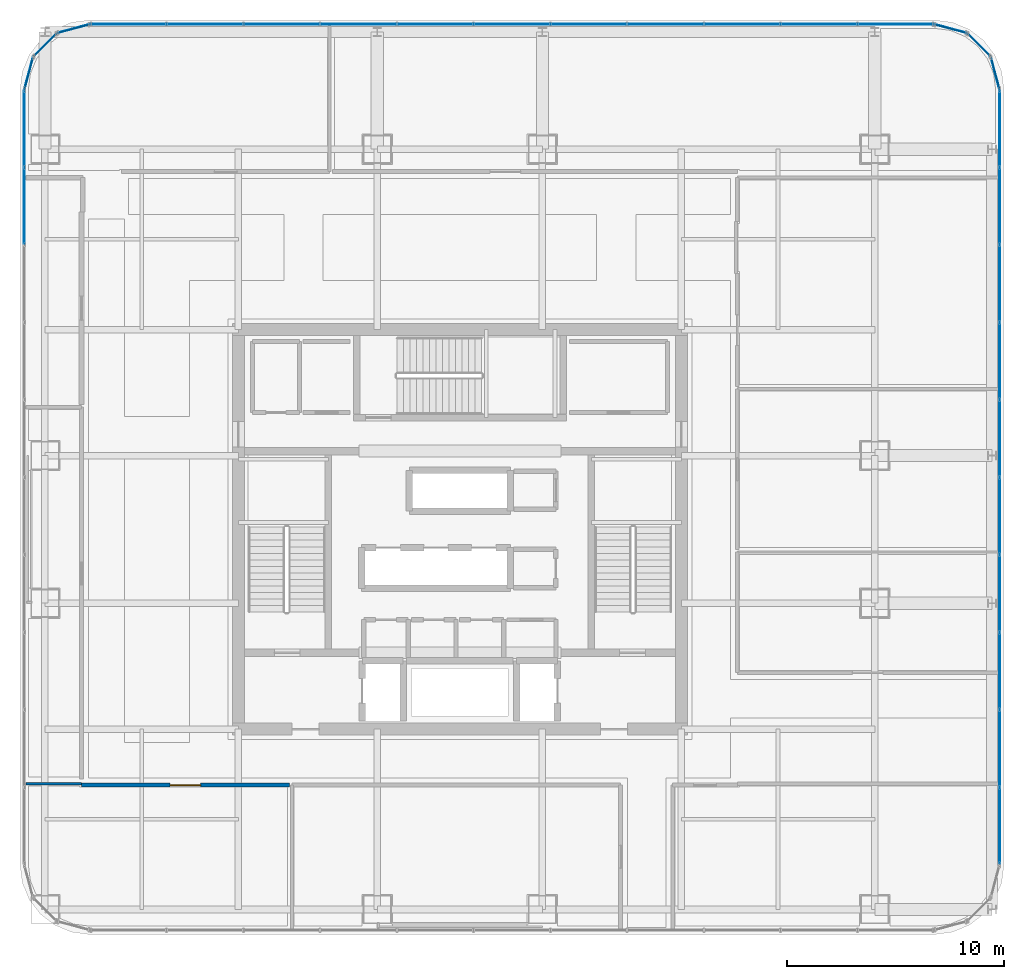
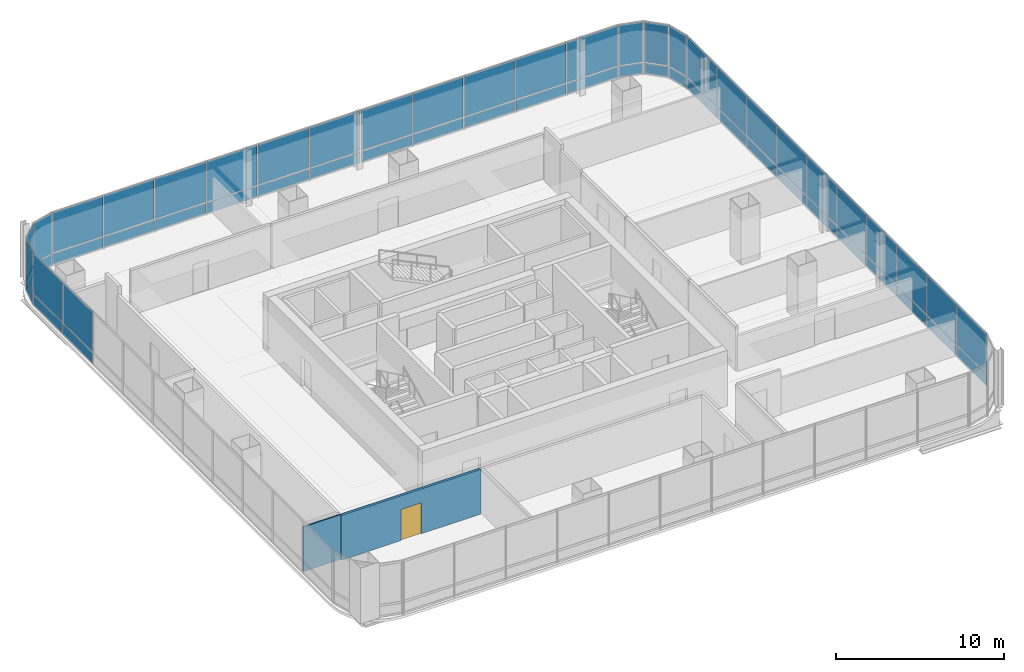
# One storey, part 32 of 42: 58 plates, 2 walls, 1 door, 1 opening, 9 elements without a shape of their own.
"""IFC4 building model written with IfcOpenShell, lengths in metres."""

from ifc_helpers import new_model, si_unit, direction, frame, frame_2d, origin, origin_2d, place, context, subcontext, project, spatial, rectangle, extrude, material, layer, layer_set, type_object, element, fill, aggregate, save


model = new_model("IFC4")

# Units and contexts
model_context = context("Model", 3, precision=1e-05, world=origin(), true_north=direction((0.0, 1.0)))
body_context = subcontext(model_context, "Body", "Model", "MODEL_VIEW")
ifc_project = project(units=[si_unit("LENGTHUNIT", "METRE"), si_unit("AREAUNIT", "SQUARE_METRE"), si_unit("VOLUMEUNIT", "CUBIC_METRE"), si_unit("PLANEANGLEUNIT", "RADIAN"), si_unit("MASSUNIT", "GRAM", prefix="KILO")], contexts=[model_context])

# Site, building, storey
site_placement = place(None, origin())
site = spatial("IfcSite", under=ifc_project, at=site_placement, CompositionType="ELEMENT")
building_placement = place(site_placement, origin())
building = spatial("IfcBuilding", under=site, at=building_placement, Name="Punatoya Terracotta Tower", CompositionType="ELEMENT")
storey_placement = place(building_placement, frame((0.0, 0.0, 263.550048828125)))
storey = spatial("IfcBuildingStorey", under=building, at=storey_placement, Name="L62", CompositionType="ELEMENT", Elevation=263.550048828125)

# Curtain wall, plates
ifc_material_1 = material(Name="Aluminium 6063-T6 + Double Low-E Glass", Category="aluminium")
curtain_wall_type = type_object("IfcCurtainWallType", Name="CW-M3", PredefinedType="NOTDEFINED", material=ifc_material_1)
curtain_wall_1_placement = place(storey_placement, origin())
curtain_wall_1 = element("IfcCurtainWall", 1, at=curtain_wall_1_placement, inside=storey, type_object=curtain_wall_type, Name="L62 Curtain Wall CW-L62-E05-1", PredefinedType="NOTDEFINED")
ifc_material_2 = material(Name="Double Low-E Acoustic Vision Glass", Category="glass")
ifc_layer_1 = layer(ifc_material_2, 0.031982421875)
ifc_layer_set_1 = layer_set([ifc_layer_1], Name="Double Low-E Acoustic Vision Glass")
plate_type_1 = type_object("IfcPlateType", Name="PLT-GLZ-32", PredefinedType="CURTAIN_PANEL", material=ifc_layer_set_1)
plate_1_placement = place(storey_placement, frame((24.85009765625, -13.6533203125, 0.889892578125), z_axis=(0.0, 0.0, 1.0), x_axis=(0.0, 1.0, 0.0)))
plate_1 = element("IfcPlate", 2, at=plate_1_placement, type_object=plate_type_1, Name="CW-L62-E05-1 Vision Glass Panel 1", PredefinedType="CURTAIN_PANEL", context=body_context, shape_type="SweptSolid", body=[
    extrude(rectangle(XDim=3.482421875, YDim=0.031982421875, at=origin_2d()), origin(), (0.0, 0.0, 1.0), 2.919921875),
])
plate_2_placement = place(storey_placement, frame((24.85009765625, -10.085693359375, 0.889892578125), z_axis=(0.0, 0.0, 1.0), x_axis=(0.0, 1.0, 0.0)))
plate_2 = element("IfcPlate", 3, at=plate_2_placement, type_object=plate_type_1, Name="CW-L62-E05-1 Vision Glass Panel 2", PredefinedType="CURTAIN_PANEL", context=body_context, shape_type="SweptSolid", body=[
    extrude(rectangle(XDim=3.482421875, YDim=0.031982421875, at=origin_2d()), origin(), (0.0, 0.0, 1.0), 2.919921875),
])
plate_3_placement = place(storey_placement, frame((24.85009765625, -6.518310546875, 0.889892578125), z_axis=(0.0, 0.0, 1.0), x_axis=(0.0, 1.0, 0.0)))
plate_3 = element("IfcPlate", 4, at=plate_3_placement, type_object=plate_type_1, Name="CW-L62-E05-1 Vision Glass Panel 3", PredefinedType="CURTAIN_PANEL", context=body_context, shape_type="SweptSolid", body=[
    extrude(rectangle(XDim=3.482421875, YDim=0.031982421875, at=origin_2d()), origin(), (0.0, 0.0, 1.0), 2.919921875),
])
plate_4_placement = place(storey_placement, frame((24.85009765625, -2.951171875, 0.889892578125), z_axis=(0.0, 0.0, 1.0), x_axis=(0.0, 1.0, 0.0)))
plate_4 = element("IfcPlate", 5, at=plate_4_placement, type_object=plate_type_1, Name="CW-L62-E05-1 Vision Glass Panel 4", PredefinedType="CURTAIN_PANEL", context=body_context, shape_type="SweptSolid", body=[
    extrude(rectangle(XDim=3.482421875, YDim=0.031982421875, at=origin_2d()), origin(), (0.0, 0.0, 1.0), 2.919921875),
])
plate_5_placement = place(storey_placement, frame((24.85009765625, 0.6162109375, 0.889892578125), z_axis=(0.0, 0.0, 1.0), x_axis=(0.0, 1.0, 0.0)))
plate_5 = element("IfcPlate", 6, at=plate_5_placement, type_object=plate_type_1, Name="CW-L62-E05-1 Vision Glass Panel 5", PredefinedType="CURTAIN_PANEL", context=body_context, shape_type="SweptSolid", body=[
    extrude(rectangle(XDim=3.482421875, YDim=0.031982421875, at=origin_2d()), origin(), (0.0, 0.0, 1.0), 2.919921875),
])
plate_6_placement = place(storey_placement, frame((24.85009765625, 4.18359375, 0.889892578125), z_axis=(0.0, 0.0, 1.0), x_axis=(0.0, 1.0, 0.0)))
plate_6 = element("IfcPlate", 7, at=plate_6_placement, type_object=plate_type_1, Name="CW-L62-E05-1 Vision Glass Panel 6", PredefinedType="CURTAIN_PANEL", context=body_context, shape_type="SweptSolid", body=[
    extrude(rectangle(XDim=3.482421875, YDim=0.031982421875, at=origin_2d()), origin(), (0.0, 0.0, 1.0), 2.919921875),
])
plate_7_placement = place(storey_placement, frame((24.85009765625, 7.751220703125, 0.889892578125), z_axis=(0.0, 0.0, 1.0), x_axis=(0.0, 1.0, 0.0)))
plate_7 = element("IfcPlate", 8, at=plate_7_placement, type_object=plate_type_1, Name="CW-L62-E05-1 Vision Glass Panel 7", PredefinedType="CURTAIN_PANEL", context=body_context, shape_type="SweptSolid", body=[
    extrude(rectangle(XDim=3.482421875, YDim=0.031982421875, at=origin_2d()), origin(), (0.0, 0.0, 1.0), 2.919921875),
])
plate_8_placement = place(storey_placement, frame((24.85009765625, 11.318359375, 0.889892578125), z_axis=(0.0, 0.0, 1.0), x_axis=(0.0, 1.0, 0.0)))
plate_8 = element("IfcPlate", 9, at=plate_8_placement, type_object=plate_type_1, Name="CW-L62-E05-1 Vision Glass Panel 8", PredefinedType="CURTAIN_PANEL", context=body_context, shape_type="SweptSolid", body=[
    extrude(rectangle(XDim=3.482421875, YDim=0.031982421875, at=origin_2d()), origin(), (0.0, 0.0, 1.0), 2.919921875),
])
plate_9_placement = place(storey_placement, frame((24.85009765625, 14.8857421875, 0.889892578125), z_axis=(0.0, 0.0, 1.0), x_axis=(0.0, 1.0, 0.0)))
plate_9 = element("IfcPlate", 10, at=plate_9_placement, type_object=plate_type_1, Name="CW-L62-E05-1 Vision Glass Panel 9", PredefinedType="CURTAIN_PANEL", context=body_context, shape_type="SweptSolid", body=[
    extrude(rectangle(XDim=3.482421875, YDim=0.031982421875, at=origin_2d()), origin(), (0.0, 0.0, 1.0), 2.919921875),
])
plate_10_placement = place(storey_placement, frame((24.85009765625, 18.453125, 0.889892578125), z_axis=(0.0, 0.0, 1.0), x_axis=(0.0, 1.0, 0.0)))
plate_10 = element("IfcPlate", 11, at=plate_10_placement, type_object=plate_type_1, Name="CW-L62-E05-1 Vision Glass Panel 10", PredefinedType="CURTAIN_PANEL", context=body_context, shape_type="SweptSolid", body=[
    extrude(rectangle(XDim=3.482421875, YDim=0.031982421875, at=origin_2d()), origin(), (0.0, 0.0, 1.0), 2.919921875),
])

# Curtain wall, plate
curtain_wall_2_placement = place(storey_placement, origin())
curtain_wall_2 = element("IfcCurtainWall", 12, at=curtain_wall_2_placement, inside=storey, type_object=curtain_wall_type, Name="L62 Curtain Wall CW-L62-CRN06", PredefinedType="NOTDEFINED")
plate_11_placement = place(storey_placement, frame((24.648193359375, 20.992919921875, 0.889892578125), z_axis=(0.0, 0.0, 1.0), x_axis=(-0.257741620719, 0.966213877436, 0.0)))
plate_11 = element("IfcPlate", 13, at=plate_11_placement, type_object=plate_type_1, Name="CW-L62-CRN06 Vision Glass Panel 1", PredefinedType="CURTAIN_PANEL", context=body_context, shape_type="SweptSolid", body=[
    extrude(rectangle(XDim=1.47998046875, YDim=0.031982421875, at=origin_2d()), origin(), (0.0, 0.0, 1.0), 2.919921875),
])

curtain_wall_3_placement = place(storey_placement, origin())
curtain_wall_3 = element("IfcCurtainWall", 14, at=curtain_wall_3_placement, inside=storey, type_object=curtain_wall_type, Name="L62 Curtain Wall CW-L62-CRN07", PredefinedType="NOTDEFINED")
plate_12_placement = place(storey_placement, frame((23.89794921875, 22.2978515625, 0.889892578125), z_axis=(0.0, 0.0, 1.0), x_axis=(-0.707106781187, 0.707106781187, 0.0)))
plate_12 = element("IfcPlate", 15, at=plate_12_placement, type_object=plate_type_1, Name="CW-L62-CRN07 Vision Glass Panel 1", PredefinedType="CURTAIN_PANEL", context=body_context, shape_type="SweptSolid", body=[
    extrude(rectangle(XDim=1.467041015625, YDim=0.031982421875, at=origin_2d()), origin(), (0.0, 0.0, 1.0), 2.919921875),
])

curtain_wall_4_placement = place(storey_placement, origin())
curtain_wall_4 = element("IfcCurtainWall", 16, at=curtain_wall_4_placement, inside=storey, type_object=curtain_wall_type, Name="L62 Curtain Wall CW-L62-CRN08", PredefinedType="NOTDEFINED")
plate_13_placement = place(storey_placement, frame((22.593017578125, 23.04833984375, 0.889892578125), z_axis=(0.0, 0.0, 1.0), x_axis=(-0.966213877436, 0.257741620719, 0.0)))
plate_13 = element("IfcPlate", 17, at=plate_13_placement, type_object=plate_type_1, Name="CW-L62-CRN08 Vision Glass Panel 1", PredefinedType="CURTAIN_PANEL", context=body_context, shape_type="SweptSolid", body=[
    extrude(rectangle(XDim=1.47998046875, YDim=0.031982421875, at=origin_2d()), origin(), (0.0, 0.0, 1.0), 2.919921875),
])

# Curtain wall, plates
curtain_wall_5_placement = place(storey_placement, origin())
curtain_wall_5 = element("IfcCurtainWall", 18, at=curtain_wall_5_placement, inside=storey, type_object=curtain_wall_type, Name="L62 Curtain Wall CW-L62-N09-1", PredefinedType="NOTDEFINED")
plate_14_placement = place(storey_placement, frame((20.06982421875, 23.25, 0.889892578125), z_axis=(0.0, 0.0, 1.0), x_axis=(-1.0, 0.0, 0.0)))
plate_14 = element("IfcPlate", 19, at=plate_14_placement, type_object=plate_type_1, Name="CW-L62-N09-1 Vision Glass Panel 1", PredefinedType="CURTAIN_PANEL", context=body_context, shape_type="SweptSolid", body=[
    extrude(rectangle(XDim=3.448974609375, YDim=0.031982421875, at=origin_2d()), origin(), (0.0, 0.0, 1.0), 2.919921875),
])
plate_15_placement = place(storey_placement, frame((16.535888671875, 23.25, 0.889892578125), z_axis=(0.0, 0.0, 1.0), x_axis=(-1.0, 0.0, 0.0)))
plate_15 = element("IfcPlate", 20, at=plate_15_placement, type_object=plate_type_1, Name="CW-L62-N09-1 Vision Glass Panel 2", PredefinedType="CURTAIN_PANEL", context=body_context, shape_type="SweptSolid", body=[
    extrude(rectangle(XDim=3.448974609375, YDim=0.031982421875, at=origin_2d()), origin(), (0.0, 0.0, 1.0), 2.919921875),
])
plate_16_placement = place(storey_placement, frame((13.001953125, 23.25, 0.889892578125), z_axis=(0.0, 0.0, 1.0), x_axis=(-1.0, 0.0, 0.0)))
plate_16 = element("IfcPlate", 21, at=plate_16_placement, type_object=plate_type_1, Name="CW-L62-N09-1 Vision Glass Panel 3", PredefinedType="CURTAIN_PANEL", context=body_context, shape_type="SweptSolid", body=[
    extrude(rectangle(XDim=3.448974609375, YDim=0.031982421875, at=origin_2d()), origin(), (0.0, 0.0, 1.0), 2.919921875),
])
plate_17_placement = place(storey_placement, frame((9.468017578125, 23.25, 0.889892578125), z_axis=(0.0, 0.0, 1.0), x_axis=(-1.0, 0.0, 0.0)))
plate_17 = element("IfcPlate", 22, at=plate_17_placement, type_object=plate_type_1, Name="CW-L62-N09-1 Vision Glass Panel 4", PredefinedType="CURTAIN_PANEL", context=body_context, shape_type="SweptSolid", body=[
    extrude(rectangle(XDim=3.448974609375, YDim=0.031982421875, at=origin_2d()), origin(), (0.0, 0.0, 1.0), 2.919921875),
])
plate_18_placement = place(storey_placement, frame((5.93408203125, 23.25, 0.889892578125), z_axis=(0.0, 0.0, 1.0), x_axis=(-1.0, 0.0, 0.0)))
plate_18 = element("IfcPlate", 23, at=plate_18_placement, type_object=plate_type_1, Name="CW-L62-N09-1 Vision Glass Panel 5", PredefinedType="CURTAIN_PANEL", context=body_context, shape_type="SweptSolid", body=[
    extrude(rectangle(XDim=3.448974609375, YDim=0.031982421875, at=origin_2d()), origin(), (0.0, 0.0, 1.0), 2.919921875),
])
plate_19_placement = place(storey_placement, frame((2.39990234375, 23.25, 0.889892578125), z_axis=(0.0, 0.0, 1.0), x_axis=(-1.0, 0.0, 0.0)))
plate_19 = element("IfcPlate", 24, at=plate_19_placement, type_object=plate_type_1, Name="CW-L62-N09-1 Vision Glass Panel 6", PredefinedType="CURTAIN_PANEL", context=body_context, shape_type="SweptSolid", body=[
    extrude(rectangle(XDim=3.448974609375, YDim=0.031982421875, at=origin_2d()), origin(), (0.0, 0.0, 1.0), 2.919921875),
])
plate_20_placement = place(storey_placement, frame((-1.134033203125, 23.25, 0.889892578125), z_axis=(0.0, 0.0, 1.0), x_axis=(-1.0, 0.0, 0.0)))
plate_20 = element("IfcPlate", 25, at=plate_20_placement, type_object=plate_type_1, Name="CW-L62-N09-1 Vision Glass Panel 7", PredefinedType="CURTAIN_PANEL", context=body_context, shape_type="SweptSolid", body=[
    extrude(rectangle(XDim=3.448974609375, YDim=0.031982421875, at=origin_2d()), origin(), (0.0, 0.0, 1.0), 2.919921875),
])
plate_21_placement = place(storey_placement, frame((-4.66796875, 23.25, 0.889892578125), z_axis=(0.0, 0.0, 1.0), x_axis=(-1.0, 0.0, 0.0)))
plate_21 = element("IfcPlate", 26, at=plate_21_placement, type_object=plate_type_1, Name="CW-L62-N09-1 Vision Glass Panel 8", PredefinedType="CURTAIN_PANEL", context=body_context, shape_type="SweptSolid", body=[
    extrude(rectangle(XDim=3.448974609375, YDim=0.031982421875, at=origin_2d()), origin(), (0.0, 0.0, 1.0), 2.919921875),
])
plate_22_placement = place(storey_placement, frame((-8.201904296875, 23.25, 0.889892578125), z_axis=(0.0, 0.0, 1.0), x_axis=(-1.0, 0.0, 0.0)))
plate_22 = element("IfcPlate", 27, at=plate_22_placement, type_object=plate_type_1, Name="CW-L62-N09-1 Vision Glass Panel 9", PredefinedType="CURTAIN_PANEL", context=body_context, shape_type="SweptSolid", body=[
    extrude(rectangle(XDim=3.448974609375, YDim=0.031982421875, at=origin_2d()), origin(), (0.0, 0.0, 1.0), 2.919921875),
])
plate_23_placement = place(storey_placement, frame((-11.73583984375, 23.25, 0.889892578125), z_axis=(0.0, 0.0, 1.0), x_axis=(-1.0, 0.0, 0.0)))
plate_23 = element("IfcPlate", 28, at=plate_23_placement, type_object=plate_type_1, Name="CW-L62-N09-1 Vision Glass Panel 10", PredefinedType="CURTAIN_PANEL", context=body_context, shape_type="SweptSolid", body=[
    extrude(rectangle(XDim=3.448974609375, YDim=0.031982421875, at=origin_2d()), origin(), (0.0, 0.0, 1.0), 2.919921875),
])
plate_24_placement = place(storey_placement, frame((-15.27001953125, 23.25, 0.889892578125), z_axis=(0.0, 0.0, 1.0), x_axis=(-1.0, 0.0, 0.0)))
plate_24 = element("IfcPlate", 29, at=plate_24_placement, type_object=plate_type_1, Name="CW-L62-N09-1 Vision Glass Panel 11", PredefinedType="CURTAIN_PANEL", context=body_context, shape_type="SweptSolid", body=[
    extrude(rectangle(XDim=3.448974609375, YDim=0.031982421875, at=origin_2d()), origin(), (0.0, 0.0, 1.0), 2.919921875),
])

# Curtain wall, plate
curtain_wall_6_placement = place(storey_placement, origin())
curtain_wall_6 = element("IfcCurtainWall", 30, at=curtain_wall_6_placement, inside=storey, type_object=curtain_wall_type, Name="L62 Curtain Wall CW-L62-CRN10", PredefinedType="NOTDEFINED")
plate_25_placement = place(storey_placement, frame((-17.79296875, 23.04833984375, 0.889892578125), z_axis=(0.0, 0.0, 1.0), x_axis=(-0.966213877436, -0.257741620719, 0.0)))
plate_25 = element("IfcPlate", 31, at=plate_25_placement, type_object=plate_type_1, Name="CW-L62-CRN10 Vision Glass Panel 1", PredefinedType="CURTAIN_PANEL", context=body_context, shape_type="SweptSolid", body=[
    extrude(rectangle(XDim=1.47998046875, YDim=0.031982421875, at=origin_2d()), origin(), (0.0, 0.0, 1.0), 2.919921875),
])

curtain_wall_7_placement = place(storey_placement, origin())
curtain_wall_7 = element("IfcCurtainWall", 32, at=curtain_wall_7_placement, inside=storey, type_object=curtain_wall_type, Name="L62 Curtain Wall CW-L62-CRN11", PredefinedType="NOTDEFINED")
plate_26_placement = place(storey_placement, frame((-19.097900390625, 22.2978515625, 0.889892578125), z_axis=(0.0, 0.0, 1.0), x_axis=(-0.707106781187, -0.707106781187, 0.0)))
plate_26 = element("IfcPlate", 33, at=plate_26_placement, type_object=plate_type_1, Name="CW-L62-CRN11 Vision Glass Panel 1", PredefinedType="CURTAIN_PANEL", context=body_context, shape_type="SweptSolid", body=[
    extrude(rectangle(XDim=1.467041015625, YDim=0.031982421875, at=origin_2d()), origin(), (0.0, 0.0, 1.0), 2.919921875),
])

curtain_wall_8_placement = place(storey_placement, origin())
curtain_wall_8 = element("IfcCurtainWall", 34, at=curtain_wall_8_placement, inside=storey, type_object=curtain_wall_type, Name="L62 Curtain Wall CW-L62-CRN12", PredefinedType="NOTDEFINED")
plate_27_placement = place(storey_placement, frame((-19.848388671875, 20.992919921875, 0.889892578125), z_axis=(0.0, 0.0, 1.0), x_axis=(-0.257741620719, -0.966213877436, 0.0)))
plate_27 = element("IfcPlate", 35, at=plate_27_placement, type_object=plate_type_1, Name="CW-L62-CRN12 Vision Glass Panel 1", PredefinedType="CURTAIN_PANEL", context=body_context, shape_type="SweptSolid", body=[
    extrude(rectangle(XDim=1.47998046875, YDim=0.031982421875, at=origin_2d()), origin(), (0.0, 0.0, 1.0), 2.919921875),
])

# Curtain wall, plates
curtain_wall_9_placement = place(storey_placement, origin())
curtain_wall_9 = element("IfcCurtainWall", 36, at=curtain_wall_9_placement, inside=storey, type_object=curtain_wall_type, Name="L62 Curtain Wall CW-L62-W13-1", PredefinedType="NOTDEFINED")
plate_28_placement = place(storey_placement, frame((-20.050048828125, 18.453125, 0.889892578125), z_axis=(0.0, 0.0, 1.0), x_axis=(0.0, -1.0, 0.0)))
plate_28 = element("IfcPlate", 37, at=plate_28_placement, type_object=plate_type_1, Name="CW-L62-W13-1 Vision Glass Panel 1", PredefinedType="CURTAIN_PANEL", context=body_context, shape_type="SweptSolid", body=[
    extrude(rectangle(XDim=3.482421875, YDim=0.031982421875, at=origin_2d()), origin(), (0.0, 0.0, 1.0), 2.919921875),
])
plate_29_placement = place(storey_placement, frame((-20.050048828125, 14.8857421875, 0.889892578125), z_axis=(0.0, 0.0, 1.0), x_axis=(0.0, -1.0, 0.0)))
plate_29 = element("IfcPlate", 38, at=plate_29_placement, type_object=plate_type_1, Name="CW-L62-W13-1 Vision Glass Panel 2", PredefinedType="CURTAIN_PANEL", context=body_context, shape_type="SweptSolid", body=[
    extrude(rectangle(XDim=3.482421875, YDim=0.031982421875, at=origin_2d()), origin(), (0.0, 0.0, 1.0), 2.919921875),
])

# Plate
ifc_material_3 = material(Name="Insulated Terracotta-Backed Spandrel Panel", Category="masonry")
ifc_layer_2 = layer(ifc_material_3, 0.044921875)
ifc_layer_set_2 = layer_set([ifc_layer_2], Name="Insulated Terracotta-Backed Spandrel Panel")
plate_type_2 = type_object("IfcPlateType", Name="PLT-SPN-45", PredefinedType="CURTAIN_PANEL", material=ifc_layer_set_2)
plate_30_placement = place(storey_placement, frame((24.85009765625, -13.6533203125, 0.0400390625), z_axis=(0.0, 0.0, 1.0), x_axis=(0.0, 1.0, 0.0)))
plate_30 = element("IfcPlate", 39, at=plate_30_placement, type_object=plate_type_2, Name="CW-L62-E05-1 Terracotta Spandrel Panel 1", PredefinedType="CURTAIN_PANEL", context=body_context, shape_type="SweptSolid", body=[
    extrude(rectangle(XDim=3.482421875, YDim=0.044921875, at=origin_2d()), origin(), (0.0, 0.0, 1.0), 0.77490234375),
])

plate_31_placement = place(storey_placement, frame((24.85009765625, -10.085693359375, 0.0400390625), z_axis=(0.0, 0.0, 1.0), x_axis=(0.0, 1.0, 0.0)))
plate_31 = element("IfcPlate", 40, at=plate_31_placement, type_object=plate_type_2, Name="CW-L62-E05-1 Terracotta Spandrel Panel 2", PredefinedType="CURTAIN_PANEL", context=body_context, shape_type="SweptSolid", body=[
    extrude(rectangle(XDim=3.482421875, YDim=0.044921875, at=origin_2d()), origin(), (0.0, 0.0, 1.0), 0.77490234375),
])

plate_32_placement = place(storey_placement, frame((24.85009765625, -6.518310546875, 0.0400390625), z_axis=(0.0, 0.0, 1.0), x_axis=(0.0, 1.0, 0.0)))
plate_32 = element("IfcPlate", 41, at=plate_32_placement, type_object=plate_type_2, Name="CW-L62-E05-1 Terracotta Spandrel Panel 3", PredefinedType="CURTAIN_PANEL", context=body_context, shape_type="SweptSolid", body=[
    extrude(rectangle(XDim=3.482421875, YDim=0.044921875, at=origin_2d()), origin(), (0.0, 0.0, 1.0), 0.77490234375),
])

plate_33_placement = place(storey_placement, frame((24.85009765625, -2.951171875, 0.0400390625), z_axis=(0.0, 0.0, 1.0), x_axis=(0.0, 1.0, 0.0)))
plate_33 = element("IfcPlate", 42, at=plate_33_placement, type_object=plate_type_2, Name="CW-L62-E05-1 Terracotta Spandrel Panel 4", PredefinedType="CURTAIN_PANEL", context=body_context, shape_type="SweptSolid", body=[
    extrude(rectangle(XDim=3.482421875, YDim=0.044921875, at=origin_2d()), origin(), (0.0, 0.0, 1.0), 0.77490234375),
])

plate_34_placement = place(storey_placement, frame((24.85009765625, 0.6162109375, 0.0400390625), z_axis=(0.0, 0.0, 1.0), x_axis=(0.0, 1.0, 0.0)))
plate_34 = element("IfcPlate", 43, at=plate_34_placement, type_object=plate_type_2, Name="CW-L62-E05-1 Terracotta Spandrel Panel 5", PredefinedType="CURTAIN_PANEL", context=body_context, shape_type="SweptSolid", body=[
    extrude(rectangle(XDim=3.482421875, YDim=0.044921875, at=origin_2d()), origin(), (0.0, 0.0, 1.0), 0.77490234375),
])

plate_35_placement = place(storey_placement, frame((24.85009765625, 4.18359375, 0.0400390625), z_axis=(0.0, 0.0, 1.0), x_axis=(0.0, 1.0, 0.0)))
plate_35 = element("IfcPlate", 44, at=plate_35_placement, type_object=plate_type_2, Name="CW-L62-E05-1 Terracotta Spandrel Panel 6", PredefinedType="CURTAIN_PANEL", context=body_context, shape_type="SweptSolid", body=[
    extrude(rectangle(XDim=3.482421875, YDim=0.044921875, at=origin_2d()), origin(), (0.0, 0.0, 1.0), 0.77490234375),
])

plate_36_placement = place(storey_placement, frame((24.85009765625, 7.751220703125, 0.0400390625), z_axis=(0.0, 0.0, 1.0), x_axis=(0.0, 1.0, 0.0)))
plate_36 = element("IfcPlate", 45, at=plate_36_placement, type_object=plate_type_2, Name="CW-L62-E05-1 Terracotta Spandrel Panel 7", PredefinedType="CURTAIN_PANEL", context=body_context, shape_type="SweptSolid", body=[
    extrude(rectangle(XDim=3.482421875, YDim=0.044921875, at=origin_2d()), origin(), (0.0, 0.0, 1.0), 0.77490234375),
])

plate_37_placement = place(storey_placement, frame((24.85009765625, 11.318359375, 0.0400390625), z_axis=(0.0, 0.0, 1.0), x_axis=(0.0, 1.0, 0.0)))
plate_37 = element("IfcPlate", 46, at=plate_37_placement, type_object=plate_type_2, Name="CW-L62-E05-1 Terracotta Spandrel Panel 8", PredefinedType="CURTAIN_PANEL", context=body_context, shape_type="SweptSolid", body=[
    extrude(rectangle(XDim=3.482421875, YDim=0.044921875, at=origin_2d()), origin(), (0.0, 0.0, 1.0), 0.77490234375),
])

plate_38_placement = place(storey_placement, frame((24.85009765625, 14.8857421875, 0.0400390625), z_axis=(0.0, 0.0, 1.0), x_axis=(0.0, 1.0, 0.0)))
plate_38 = element("IfcPlate", 47, at=plate_38_placement, type_object=plate_type_2, Name="CW-L62-E05-1 Terracotta Spandrel Panel 9", PredefinedType="CURTAIN_PANEL", context=body_context, shape_type="SweptSolid", body=[
    extrude(rectangle(XDim=3.482421875, YDim=0.044921875, at=origin_2d()), origin(), (0.0, 0.0, 1.0), 0.77490234375),
])

plate_39_placement = place(storey_placement, frame((24.85009765625, 18.453125, 0.0400390625), z_axis=(0.0, 0.0, 1.0), x_axis=(0.0, 1.0, 0.0)))
plate_39 = element("IfcPlate", 48, at=plate_39_placement, type_object=plate_type_2, Name="CW-L62-E05-1 Terracotta Spandrel Panel 10", PredefinedType="CURTAIN_PANEL", context=body_context, shape_type="SweptSolid", body=[
    extrude(rectangle(XDim=3.482421875, YDim=0.044921875, at=origin_2d()), origin(), (0.0, 0.0, 1.0), 0.77490234375),
])

aggregate(curtain_wall_1, [plate_30, plate_1, plate_31, plate_2, plate_32, plate_3, plate_33, plate_4, plate_34, plate_5, plate_35, plate_6, plate_36, plate_7, plate_37, plate_8, plate_38, plate_9, plate_39, plate_10])

plate_40_placement = place(storey_placement, frame((24.648193359375, 20.992919921875, 0.0400390625), z_axis=(0.0, 0.0, 1.0), x_axis=(-0.257741620719, 0.966213877436, 0.0)))
plate_40 = element("IfcPlate", 49, at=plate_40_placement, type_object=plate_type_2, Name="CW-L62-CRN06 Terracotta Spandrel Panel 1", PredefinedType="CURTAIN_PANEL", context=body_context, shape_type="SweptSolid", body=[
    extrude(rectangle(XDim=1.47998046875, YDim=0.044921875, at=origin_2d()), origin(), (0.0, 0.0, 1.0), 0.77490234375),
])

aggregate(curtain_wall_2, [plate_40, plate_11])

plate_41_placement = place(storey_placement, frame((23.89794921875, 22.2978515625, 0.0400390625), z_axis=(0.0, 0.0, 1.0), x_axis=(-0.707106781187, 0.707106781187, 0.0)))
plate_41 = element("IfcPlate", 50, at=plate_41_placement, type_object=plate_type_2, Name="CW-L62-CRN07 Terracotta Spandrel Panel 1", PredefinedType="CURTAIN_PANEL", context=body_context, shape_type="SweptSolid", body=[
    extrude(rectangle(XDim=1.467041015625, YDim=0.044921875, at=origin_2d()), origin(), (0.0, 0.0, 1.0), 0.77490234375),
])

aggregate(curtain_wall_3, [plate_41, plate_12])

plate_42_placement = place(storey_placement, frame((22.593017578125, 23.04833984375, 0.0400390625), z_axis=(0.0, 0.0, 1.0), x_axis=(-0.966213877436, 0.257741620719, 0.0)))
plate_42 = element("IfcPlate", 51, at=plate_42_placement, type_object=plate_type_2, Name="CW-L62-CRN08 Terracotta Spandrel Panel 1", PredefinedType="CURTAIN_PANEL", context=body_context, shape_type="SweptSolid", body=[
    extrude(rectangle(XDim=1.47998046875, YDim=0.044921875, at=origin_2d()), origin(), (0.0, 0.0, 1.0), 0.77490234375),
])

aggregate(curtain_wall_4, [plate_42, plate_13])

plate_43_placement = place(storey_placement, frame((20.06982421875, 23.25, 0.0400390625), z_axis=(0.0, 0.0, 1.0), x_axis=(-1.0, 0.0, 0.0)))
plate_43 = element("IfcPlate", 52, at=plate_43_placement, type_object=plate_type_2, Name="CW-L62-N09-1 Terracotta Spandrel Panel 1", PredefinedType="CURTAIN_PANEL", context=body_context, shape_type="SweptSolid", body=[
    extrude(rectangle(XDim=3.448974609375, YDim=0.044921875, at=origin_2d()), origin(), (0.0, 0.0, 1.0), 0.77490234375),
])

plate_44_placement = place(storey_placement, frame((16.535888671875, 23.25, 0.0400390625), z_axis=(0.0, 0.0, 1.0), x_axis=(-1.0, 0.0, 0.0)))
plate_44 = element("IfcPlate", 53, at=plate_44_placement, type_object=plate_type_2, Name="CW-L62-N09-1 Terracotta Spandrel Panel 2", PredefinedType="CURTAIN_PANEL", context=body_context, shape_type="SweptSolid", body=[
    extrude(rectangle(XDim=3.448974609375, YDim=0.044921875, at=origin_2d()), origin(), (0.0, 0.0, 1.0), 0.77490234375),
])

plate_45_placement = place(storey_placement, frame((13.001953125, 23.25, 0.0400390625), z_axis=(0.0, 0.0, 1.0), x_axis=(-1.0, 0.0, 0.0)))
plate_45 = element("IfcPlate", 54, at=plate_45_placement, type_object=plate_type_2, Name="CW-L62-N09-1 Terracotta Spandrel Panel 3", PredefinedType="CURTAIN_PANEL", context=body_context, shape_type="SweptSolid", body=[
    extrude(rectangle(XDim=3.448974609375, YDim=0.044921875, at=origin_2d()), origin(), (0.0, 0.0, 1.0), 0.77490234375),
])

plate_46_placement = place(storey_placement, frame((9.468017578125, 23.25, 0.0400390625), z_axis=(0.0, 0.0, 1.0), x_axis=(-1.0, 0.0, 0.0)))
plate_46 = element("IfcPlate", 55, at=plate_46_placement, type_object=plate_type_2, Name="CW-L62-N09-1 Terracotta Spandrel Panel 4", PredefinedType="CURTAIN_PANEL", context=body_context, shape_type="SweptSolid", body=[
    extrude(rectangle(XDim=3.448974609375, YDim=0.044921875, at=origin_2d()), origin(), (0.0, 0.0, 1.0), 0.77490234375),
])

plate_47_placement = place(storey_placement, frame((5.93408203125, 23.25, 0.0400390625), z_axis=(0.0, 0.0, 1.0), x_axis=(-1.0, 0.0, 0.0)))
plate_47 = element("IfcPlate", 56, at=plate_47_placement, type_object=plate_type_2, Name="CW-L62-N09-1 Terracotta Spandrel Panel 5", PredefinedType="CURTAIN_PANEL", context=body_context, shape_type="SweptSolid", body=[
    extrude(rectangle(XDim=3.448974609375, YDim=0.044921875, at=origin_2d()), origin(), (0.0, 0.0, 1.0), 0.77490234375),
])

plate_48_placement = place(storey_placement, frame((2.39990234375, 23.25, 0.0400390625), z_axis=(0.0, 0.0, 1.0), x_axis=(-1.0, 0.0, 0.0)))
plate_48 = element("IfcPlate", 57, at=plate_48_placement, type_object=plate_type_2, Name="CW-L62-N09-1 Terracotta Spandrel Panel 6", PredefinedType="CURTAIN_PANEL", context=body_context, shape_type="SweptSolid", body=[
    extrude(rectangle(XDim=3.448974609375, YDim=0.044921875, at=origin_2d()), origin(), (0.0, 0.0, 1.0), 0.77490234375),
])

plate_49_placement = place(storey_placement, frame((-1.134033203125, 23.25, 0.0400390625), z_axis=(0.0, 0.0, 1.0), x_axis=(-1.0, 0.0, 0.0)))
plate_49 = element("IfcPlate", 58, at=plate_49_placement, type_object=plate_type_2, Name="CW-L62-N09-1 Terracotta Spandrel Panel 7", PredefinedType="CURTAIN_PANEL", context=body_context, shape_type="SweptSolid", body=[
    extrude(rectangle(XDim=3.448974609375, YDim=0.044921875, at=origin_2d()), origin(), (0.0, 0.0, 1.0), 0.77490234375),
])

plate_50_placement = place(storey_placement, frame((-4.66796875, 23.25, 0.0400390625), z_axis=(0.0, 0.0, 1.0), x_axis=(-1.0, 0.0, 0.0)))
plate_50 = element("IfcPlate", 59, at=plate_50_placement, type_object=plate_type_2, Name="CW-L62-N09-1 Terracotta Spandrel Panel 8", PredefinedType="CURTAIN_PANEL", context=body_context, shape_type="SweptSolid", body=[
    extrude(rectangle(XDim=3.448974609375, YDim=0.044921875, at=origin_2d()), origin(), (0.0, 0.0, 1.0), 0.77490234375),
])

plate_51_placement = place(storey_placement, frame((-8.201904296875, 23.25, 0.0400390625), z_axis=(0.0, 0.0, 1.0), x_axis=(-1.0, 0.0, 0.0)))
plate_51 = element("IfcPlate", 60, at=plate_51_placement, type_object=plate_type_2, Name="CW-L62-N09-1 Terracotta Spandrel Panel 9", PredefinedType="CURTAIN_PANEL", context=body_context, shape_type="SweptSolid", body=[
    extrude(rectangle(XDim=3.448974609375, YDim=0.044921875, at=origin_2d()), origin(), (0.0, 0.0, 1.0), 0.77490234375),
])

plate_52_placement = place(storey_placement, frame((-11.73583984375, 23.25, 0.0400390625), z_axis=(0.0, 0.0, 1.0), x_axis=(-1.0, 0.0, 0.0)))
plate_52 = element("IfcPlate", 61, at=plate_52_placement, type_object=plate_type_2, Name="CW-L62-N09-1 Terracotta Spandrel Panel 10", PredefinedType="CURTAIN_PANEL", context=body_context, shape_type="SweptSolid", body=[
    extrude(rectangle(XDim=3.448974609375, YDim=0.044921875, at=origin_2d()), origin(), (0.0, 0.0, 1.0), 0.77490234375),
])

plate_53_placement = place(storey_placement, frame((-15.27001953125, 23.25, 0.0400390625), z_axis=(0.0, 0.0, 1.0), x_axis=(-1.0, 0.0, 0.0)))
plate_53 = element("IfcPlate", 62, at=plate_53_placement, type_object=plate_type_2, Name="CW-L62-N09-1 Terracotta Spandrel Panel 11", PredefinedType="CURTAIN_PANEL", context=body_context, shape_type="SweptSolid", body=[
    extrude(rectangle(XDim=3.448974609375, YDim=0.044921875, at=origin_2d()), origin(), (0.0, 0.0, 1.0), 0.77490234375),
])

aggregate(curtain_wall_5, [plate_43, plate_14, plate_44, plate_15, plate_45, plate_16, plate_46, plate_17, plate_47, plate_18, plate_48, plate_19, plate_49, plate_20, plate_50, plate_21, plate_51, plate_22, plate_52, plate_23, plate_53, plate_24])

plate_54_placement = place(storey_placement, frame((-17.79296875, 23.04833984375, 0.0400390625), z_axis=(0.0, 0.0, 1.0), x_axis=(-0.966213877436, -0.257741620719, 0.0)))
plate_54 = element("IfcPlate", 63, at=plate_54_placement, type_object=plate_type_2, Name="CW-L62-CRN10 Terracotta Spandrel Panel 1", PredefinedType="CURTAIN_PANEL", context=body_context, shape_type="SweptSolid", body=[
    extrude(rectangle(XDim=1.47998046875, YDim=0.044921875, at=origin_2d()), origin(), (0.0, 0.0, 1.0), 0.77490234375),
])

aggregate(curtain_wall_6, [plate_54, plate_25])

plate_55_placement = place(storey_placement, frame((-19.097900390625, 22.2978515625, 0.0400390625), z_axis=(0.0, 0.0, 1.0), x_axis=(-0.707106781187, -0.707106781187, 0.0)))
plate_55 = element("IfcPlate", 64, at=plate_55_placement, type_object=plate_type_2, Name="CW-L62-CRN11 Terracotta Spandrel Panel 1", PredefinedType="CURTAIN_PANEL", context=body_context, shape_type="SweptSolid", body=[
    extrude(rectangle(XDim=1.467041015625, YDim=0.044921875, at=origin_2d()), origin(), (0.0, 0.0, 1.0), 0.77490234375),
])

aggregate(curtain_wall_7, [plate_55, plate_26])

plate_56_placement = place(storey_placement, frame((-19.848388671875, 20.992919921875, 0.0400390625), z_axis=(0.0, 0.0, 1.0), x_axis=(-0.257741620719, -0.966213877436, 0.0)))
plate_56 = element("IfcPlate", 65, at=plate_56_placement, type_object=plate_type_2, Name="CW-L62-CRN12 Terracotta Spandrel Panel 1", PredefinedType="CURTAIN_PANEL", context=body_context, shape_type="SweptSolid", body=[
    extrude(rectangle(XDim=1.47998046875, YDim=0.044921875, at=origin_2d()), origin(), (0.0, 0.0, 1.0), 0.77490234375),
])

aggregate(curtain_wall_8, [plate_56, plate_27])

plate_57_placement = place(storey_placement, frame((-20.050048828125, 18.453125, 0.0400390625), z_axis=(0.0, 0.0, 1.0), x_axis=(0.0, -1.0, 0.0)))
plate_57 = element("IfcPlate", 66, at=plate_57_placement, type_object=plate_type_2, Name="CW-L62-W13-1 Terracotta Spandrel Panel 1", PredefinedType="CURTAIN_PANEL", context=body_context, shape_type="SweptSolid", body=[
    extrude(rectangle(XDim=3.482421875, YDim=0.044921875, at=origin_2d()), origin(), (0.0, 0.0, 1.0), 0.77490234375),
])

plate_58_placement = place(storey_placement, frame((-20.050048828125, 14.8857421875, 0.0400390625), z_axis=(0.0, 0.0, 1.0), x_axis=(0.0, -1.0, 0.0)))
plate_58 = element("IfcPlate", 67, at=plate_58_placement, type_object=plate_type_2, Name="CW-L62-W13-1 Terracotta Spandrel Panel 2", PredefinedType="CURTAIN_PANEL", context=body_context, shape_type="SweptSolid", body=[
    extrude(rectangle(XDim=3.482421875, YDim=0.044921875, at=origin_2d()), origin(), (0.0, 0.0, 1.0), 0.77490234375),
])

aggregate(curtain_wall_9, [plate_57, plate_28, plate_58, plate_29])

# Wall, opening, door
ifc_material_4 = material(Name="Gypsum Fireboard + Steel Stud", Category="steel")
ifc_layer_3 = layer(ifc_material_4, 0.179931640625)
ifc_layer_set_3 = layer_set([ifc_layer_3], Name="Gypsum Fireboard + Steel Stud")
wall_type_1 = type_object("IfcWallType", Name="WL-CORR-180", PredefinedType="PARTITIONING", material=ifc_layer_set_3)
wall_1_placement = place(storey_placement, frame((-17.419921875, -11.77001953125, 0.0), z_axis=(0.0, 0.0, 1.0), x_axis=(1.0, 0.0, 0.0)))
wall_1 = element("IfcWall", 68, at=wall_1_placement, inside=storey, type_object=wall_type_1, Name="L62 Open-Plan Media Broadcast Studio Partition 29", PredefinedType="PARTITIONING", context=body_context, shape_type="SweptSolid", body=[
    extrude(rectangle(XDim=9.573974609375, YDim=0.179931640625, at=frame_2d((4.787109375, 0.0))), origin(), (0.0, 0.0, 1.0), 3.243896484375),
])
opening_placement = place(wall_1_placement, frame((4.0869140625, 0.0, 0.0)))
opening = element("IfcOpeningElement", 69, at=opening_placement, cuts=wall_1, Name="Opening BD-01", PredefinedType="OPENING", context=body_context, shape_type="SweptSolid", body=[
    extrude(rectangle(XDim=1.39990234375, YDim=2.25, at=frame_2d((0.699951171875, 1.125))), frame((0.0, 0.099853515625, 0.0), z_axis=(0.0, -1.0, 0.0), x_axis=(1.0, 0.0, 0.0)), (0.0, 0.0, 1.0), 0.199951171875),
])
ifc_material_5 = material(Name="Bengal Teak Acoustic Leaf")
door_type = type_object("IfcDoorType", Name="DR-BRD-1400", OperationType="NOTDEFINED", PredefinedType="DOOR", material=ifc_material_5)
door_placement = place(opening_placement, origin())
door = element("IfcDoor", 70, at=door_placement, inside=storey, type_object=door_type, Name="L62 Open-Plan Media Broadcast Studio Door", OperationType="SINGLE_SWING_LEFT", OverallHeight=2.25, OverallWidth=1.39990234375, PredefinedType="DOOR", context=body_context, shape_type="SweptSolid", body=[
    extrude(rectangle(XDim=1.39990234375, YDim=2.25, at=frame_2d((0.699951171875, 1.125))), frame((0.0, 0.02490234375, 0.0), z_axis=(0.0, -1.0, 0.0), x_axis=(1.0, 0.0, 0.0)), (0.0, 0.0, 1.0), 0.050048828125),
])
fill(opening, door)

# Wall
ifc_material_6 = material(Name="Aluminium Framed Acoustic Glass Partition", Category="aluminium")
ifc_layer_4 = layer(ifc_material_6, 0.10009765625)
ifc_layer_set_4 = layer_set([ifc_layer_4], Name="Aluminium Framed Acoustic Glass Partition")
wall_type_2 = type_object("IfcWallType", Name="WL-GLZ-100", PredefinedType="PARTITIONING", material=ifc_layer_set_4)
wall_2_placement = place(storey_placement, frame((-19.969970703125, -11.7099609375, 0.0), z_axis=(0.0, 0.0, 1.0), x_axis=(1.0, 0.0, 0.0)))
element("IfcWall", 71, at=wall_2_placement, inside=storey, type_object=wall_type_2, Name="L62 Open-Plan Media Broadcast Studio Partition 28", PredefinedType="PARTITIONING", context=body_context, shape_type="SweptSolid", body=[
    extrude(rectangle(XDim=2.550048828125, YDim=0.10009765625, at=frame_2d((1.27490234375, 0.0))), origin(), (0.0, 0.0, 1.0), 3.243896484375),
])

save(model, "model.ifc")
